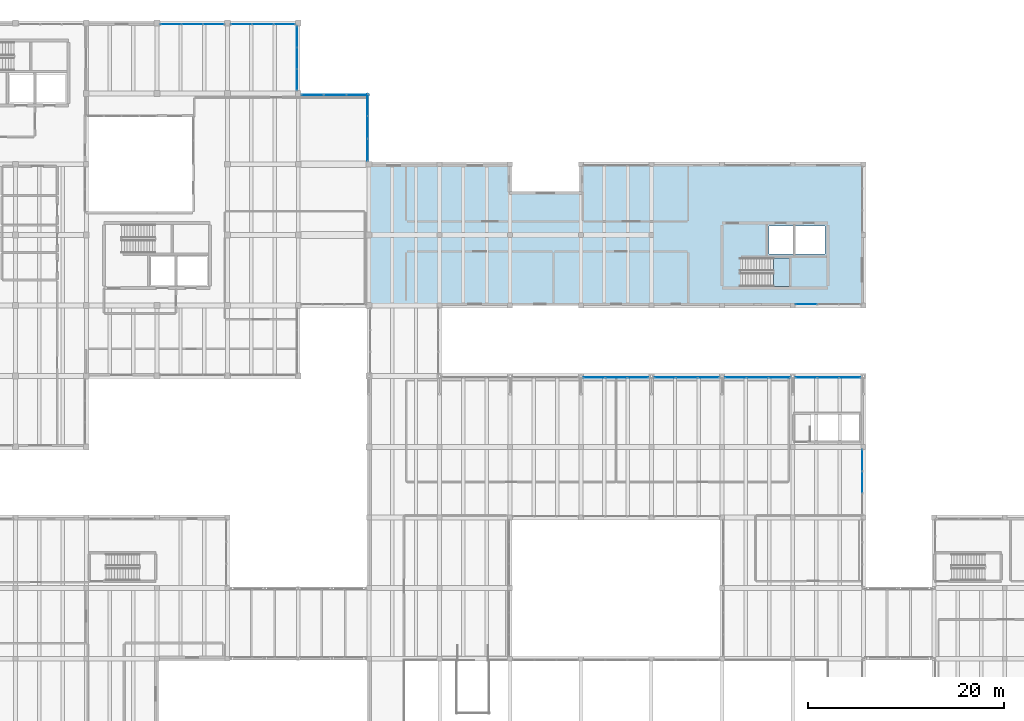
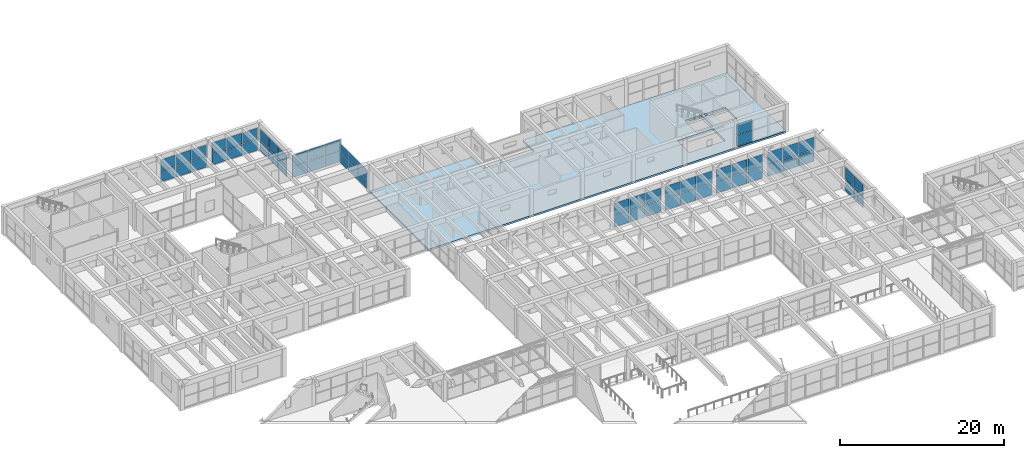
# One storey, part 123 of 153: 60 plates, 2 slabs, 12 elements without a shape of their own.
"""IFC4 building model written with IfcOpenShell, lengths in metres."""

from ifc_helpers import new_model, si_unit, direction, frame, origin, origin_2d, place, context, subcontext, project, spatial, polyline, rectangle, outline, extrude, material, layer, layer_set, type_object, element, aggregate, save


model = new_model("IFC4")

# Units and contexts
model_context = context("Model", 3, precision=1e-05, world=origin(), true_north=direction((0.0, 1.0)))
body_context = subcontext(model_context, "Body", "Model", "MODEL_VIEW")
ifc_project = project(units=[si_unit("LENGTHUNIT", "METRE"), si_unit("AREAUNIT", "SQUARE_METRE"), si_unit("VOLUMEUNIT", "CUBIC_METRE"), si_unit("PLANEANGLEUNIT", "RADIAN"), si_unit("MASSUNIT", "GRAM", prefix="KILO")], contexts=[model_context])

# Site, building, storey
site_placement = place(None, origin())
site = spatial("IfcSite", under=ifc_project, at=site_placement, CompositionType="ELEMENT")
building_placement = place(site_placement, origin())
building = spatial("IfcBuilding", under=site, at=building_placement, Name="Bramvelor Terrace Health Centre", CompositionType="ELEMENT")
storey_placement = place(building_placement, frame((0.0, 0.0, 4.800048828125)))
storey = spatial("IfcBuildingStorey", under=building, at=storey_placement, Name="L02", CompositionType="ELEMENT", Elevation=4.800048828125)

# Curtain wall, plates
ifc_material_1 = material(Name="Anodized aluminium and double low-E glass", Category="aluminium")
curtain_wall_type_1 = type_object("IfcCurtainWallType", Name="CW-SYS-13", PredefinedType="NOTDEFINED", material=ifc_material_1)
curtain_wall_1_placement = place(storey_placement, origin())
curtain_wall_1 = element("IfcCurtainWall", 1, at=curtain_wall_1_placement, inside=storey, type_object=curtain_wall_type_1, Name="L02 Unitized Curtain Wall 81", PredefinedType="NOTDEFINED")
ifc_material_2 = material(Name="Double low-E laminated glass", Category="glass")
ifc_layer_1 = layer(ifc_material_2, 0.028076171875)
ifc_layer_set_1 = layer_set([ifc_layer_1], Name="Double low-E laminated glass")
plate_type = type_object("IfcPlateType", Name="CW-PNL-GLZ28", PredefinedType="CURTAIN_PANEL", material=ifc_layer_set_1)
plate_1_placement = place(storey_placement, frame((23.015380859375, 115.070068359375, 0.06494140625), z_axis=(0.0, 0.0, 1.0), x_axis=(1.0, 0.0, 0.0)))
plate_1 = element("IfcPlate", 2, at=plate_1_placement, type_object=plate_type, Name="CW-13 panel 1.1", PredefinedType="CURTAIN_PANEL", context=body_context, shape_type="SweptSolid", body=[
    extrude(rectangle(XDim=2.0908203125, YDim=0.028076171875, at=origin_2d()), origin(), (0.0, 0.0, 1.0), 1.632568359375),
])
plate_2_placement = place(storey_placement, frame((23.015380859375, 115.070068359375, 1.76220703125), z_axis=(0.0, 0.0, 1.0), x_axis=(1.0, 0.0, 0.0)))
plate_2 = element("IfcPlate", 3, at=plate_2_placement, type_object=plate_type, Name="CW-13 panel 1.2", PredefinedType="CURTAIN_PANEL", context=body_context, shape_type="SweptSolid", body=[
    extrude(rectangle(XDim=2.0908203125, YDim=0.028076171875, at=origin_2d()), origin(), (0.0, 0.0, 1.0), 1.632568359375),
])
plate_3_placement = place(storey_placement, frame((25.199951171875, 115.070068359375, 0.06494140625), z_axis=(0.0, 0.0, 1.0), x_axis=(1.0, 0.0, 0.0)))
plate_3 = element("IfcPlate", 4, at=plate_3_placement, type_object=plate_type, Name="CW-13 panel 2.1", PredefinedType="CURTAIN_PANEL", context=body_context, shape_type="SweptSolid", body=[
    extrude(rectangle(XDim=2.12841796875, YDim=0.028076171875, at=origin_2d()), origin(), (0.0, 0.0, 1.0), 1.632568359375),
])
plate_4_placement = place(storey_placement, frame((25.199951171875, 115.070068359375, 1.76220703125), z_axis=(0.0, 0.0, 1.0), x_axis=(1.0, 0.0, 0.0)))
plate_4 = element("IfcPlate", 5, at=plate_4_placement, type_object=plate_type, Name="CW-13 panel 2.2", PredefinedType="CURTAIN_PANEL", context=body_context, shape_type="SweptSolid", body=[
    extrude(rectangle(XDim=2.12841796875, YDim=0.028076171875, at=origin_2d()), origin(), (0.0, 0.0, 1.0), 1.632568359375),
])
plate_5_placement = place(storey_placement, frame((27.384521484375, 115.070068359375, 0.06494140625), z_axis=(0.0, 0.0, 1.0), x_axis=(1.0, 0.0, 0.0)))
plate_5 = element("IfcPlate", 6, at=plate_5_placement, type_object=plate_type, Name="CW-13 panel 3.1", PredefinedType="CURTAIN_PANEL", context=body_context, shape_type="SweptSolid", body=[
    extrude(rectangle(XDim=2.0908203125, YDim=0.028076171875, at=origin_2d()), origin(), (0.0, 0.0, 1.0), 1.632568359375),
])
plate_6_placement = place(storey_placement, frame((27.384521484375, 115.070068359375, 1.76220703125), z_axis=(0.0, 0.0, 1.0), x_axis=(1.0, 0.0, 0.0)))
plate_6 = element("IfcPlate", 7, at=plate_6_placement, type_object=plate_type, Name="CW-13 panel 3.2", PredefinedType="CURTAIN_PANEL", context=body_context, shape_type="SweptSolid", body=[
    extrude(rectangle(XDim=2.0908203125, YDim=0.028076171875, at=origin_2d()), origin(), (0.0, 0.0, 1.0), 1.632568359375),
])
aggregate(curtain_wall_1, [plate_1, plate_2, plate_3, plate_4, plate_5, plate_6])

curtain_wall_2_placement = place(storey_placement, origin())
curtain_wall_2 = element("IfcCurtainWall", 8, at=curtain_wall_2_placement, inside=storey, type_object=curtain_wall_type_1, Name="L02 Unitized Curtain Wall 82", PredefinedType="NOTDEFINED")
plate_7_placement = place(storey_placement, frame((30.21533203125, 115.070068359375, 0.06494140625), z_axis=(0.0, 0.0, 1.0), x_axis=(1.0, 0.0, 0.0)))
plate_7 = element("IfcPlate", 9, at=plate_7_placement, type_object=plate_type, Name="CW-13 panel 1.1", PredefinedType="CURTAIN_PANEL", context=body_context, shape_type="SweptSolid", body=[
    extrude(rectangle(XDim=2.0908203125, YDim=0.028076171875, at=origin_2d()), origin(), (0.0, 0.0, 1.0), 1.632568359375),
])
plate_8_placement = place(storey_placement, frame((30.21533203125, 115.070068359375, 1.76220703125), z_axis=(0.0, 0.0, 1.0), x_axis=(1.0, 0.0, 0.0)))
plate_8 = element("IfcPlate", 10, at=plate_8_placement, type_object=plate_type, Name="CW-13 panel 1.2", PredefinedType="CURTAIN_PANEL", context=body_context, shape_type="SweptSolid", body=[
    extrude(rectangle(XDim=2.0908203125, YDim=0.028076171875, at=origin_2d()), origin(), (0.0, 0.0, 1.0), 1.632568359375),
])
plate_9_placement = place(storey_placement, frame((32.39990234375, 115.070068359375, 0.06494140625), z_axis=(0.0, 0.0, 1.0), x_axis=(1.0, 0.0, 0.0)))
plate_9 = element("IfcPlate", 11, at=plate_9_placement, type_object=plate_type, Name="CW-13 panel 2.1", PredefinedType="CURTAIN_PANEL", context=body_context, shape_type="SweptSolid", body=[
    extrude(rectangle(XDim=2.12841796875, YDim=0.028076171875, at=origin_2d()), origin(), (0.0, 0.0, 1.0), 1.632568359375),
])
plate_10_placement = place(storey_placement, frame((32.39990234375, 115.070068359375, 1.76220703125), z_axis=(0.0, 0.0, 1.0), x_axis=(1.0, 0.0, 0.0)))
plate_10 = element("IfcPlate", 12, at=plate_10_placement, type_object=plate_type, Name="CW-13 panel 2.2", PredefinedType="CURTAIN_PANEL", context=body_context, shape_type="SweptSolid", body=[
    extrude(rectangle(XDim=2.12841796875, YDim=0.028076171875, at=origin_2d()), origin(), (0.0, 0.0, 1.0), 1.632568359375),
])
plate_11_placement = place(storey_placement, frame((34.58447265625, 115.070068359375, 0.06494140625), z_axis=(0.0, 0.0, 1.0), x_axis=(1.0, 0.0, 0.0)))
plate_11 = element("IfcPlate", 13, at=plate_11_placement, type_object=plate_type, Name="CW-13 panel 3.1", PredefinedType="CURTAIN_PANEL", context=body_context, shape_type="SweptSolid", body=[
    extrude(rectangle(XDim=2.0908203125, YDim=0.028076171875, at=origin_2d()), origin(), (0.0, 0.0, 1.0), 1.632568359375),
])
plate_12_placement = place(storey_placement, frame((34.58447265625, 115.070068359375, 1.76220703125), z_axis=(0.0, 0.0, 1.0), x_axis=(1.0, 0.0, 0.0)))
plate_12 = element("IfcPlate", 14, at=plate_12_placement, type_object=plate_type, Name="CW-13 panel 3.2", PredefinedType="CURTAIN_PANEL", context=body_context, shape_type="SweptSolid", body=[
    extrude(rectangle(XDim=2.0908203125, YDim=0.028076171875, at=origin_2d()), origin(), (0.0, 0.0, 1.0), 1.632568359375),
])
aggregate(curtain_wall_2, [plate_7, plate_8, plate_9, plate_10, plate_11, plate_12])

ifc_material_3 = material(Name="Anodized aluminium and double low-E glass", Category="aluminium")
curtain_wall_type_2 = type_object("IfcCurtainWallType", Name="CW-SYS-12", PredefinedType="NOTDEFINED", material=ifc_material_3)
curtain_wall_3_placement = place(storey_placement, origin())
curtain_wall_3 = element("IfcCurtainWall", 15, at=curtain_wall_3_placement, inside=storey, type_object=curtain_wall_type_2, Name="L02 Unitized Curtain Wall 83", PredefinedType="NOTDEFINED")
plate_13_placement = place(storey_placement, frame((35.8701171875, 113.78466796875, 0.06494140625), z_axis=(0.0, 0.0, 1.0), x_axis=(0.0, -1.0, 0.0)))
plate_13 = element("IfcPlate", 16, at=plate_13_placement, type_object=plate_type, Name="CW-12 panel 1.1", PredefinedType="CURTAIN_PANEL", context=body_context, shape_type="SweptSolid", body=[
    extrude(rectangle(XDim=2.0908203125, YDim=0.028076171875, at=origin_2d()), origin(), (0.0, 0.0, 1.0), 1.58251953125),
])
plate_14_placement = place(storey_placement, frame((35.8701171875, 113.78466796875, 1.71240234375), z_axis=(0.0, 0.0, 1.0), x_axis=(0.0, -1.0, 0.0)))
plate_14 = element("IfcPlate", 17, at=plate_14_placement, type_object=plate_type, Name="CW-12 panel 1.2", PredefinedType="CURTAIN_PANEL", context=body_context, shape_type="SweptSolid", body=[
    extrude(rectangle(XDim=2.0908203125, YDim=0.028076171875, at=origin_2d()), origin(), (0.0, 0.0, 1.0), 1.58251953125),
])
plate_15_placement = place(storey_placement, frame((35.8701171875, 111.60009765625, 0.06494140625), z_axis=(0.0, 0.0, 1.0), x_axis=(0.0, -1.0, 0.0)))
plate_15 = element("IfcPlate", 18, at=plate_15_placement, type_object=plate_type, Name="CW-12 panel 2.1", PredefinedType="CURTAIN_PANEL", context=body_context, shape_type="SweptSolid", body=[
    extrude(rectangle(XDim=2.12841796875, YDim=0.028076171875, at=origin_2d()), origin(), (0.0, 0.0, 1.0), 1.58251953125),
])
plate_16_placement = place(storey_placement, frame((35.8701171875, 111.60009765625, 1.71240234375), z_axis=(0.0, 0.0, 1.0), x_axis=(0.0, -1.0, 0.0)))
plate_16 = element("IfcPlate", 19, at=plate_16_placement, type_object=plate_type, Name="CW-12 panel 2.2", PredefinedType="CURTAIN_PANEL", context=body_context, shape_type="SweptSolid", body=[
    extrude(rectangle(XDim=2.12841796875, YDim=0.028076171875, at=origin_2d()), origin(), (0.0, 0.0, 1.0), 1.58251953125),
])
plate_17_placement = place(storey_placement, frame((35.8701171875, 109.41552734375, 0.06494140625), z_axis=(0.0, 0.0, 1.0), x_axis=(0.0, -1.0, 0.0)))
plate_17 = element("IfcPlate", 20, at=plate_17_placement, type_object=plate_type, Name="CW-12 panel 3.1", PredefinedType="CURTAIN_PANEL", context=body_context, shape_type="SweptSolid", body=[
    extrude(rectangle(XDim=2.0908203125, YDim=0.028076171875, at=origin_2d()), origin(), (0.0, 0.0, 1.0), 1.58251953125),
])
plate_18_placement = place(storey_placement, frame((35.8701171875, 109.41552734375, 1.71240234375), z_axis=(0.0, 0.0, 1.0), x_axis=(0.0, -1.0, 0.0)))
plate_18 = element("IfcPlate", 21, at=plate_18_placement, type_object=plate_type, Name="CW-12 panel 3.2", PredefinedType="CURTAIN_PANEL", context=body_context, shape_type="SweptSolid", body=[
    extrude(rectangle(XDim=2.0908203125, YDim=0.028076171875, at=origin_2d()), origin(), (0.0, 0.0, 1.0), 1.58251953125),
])
aggregate(curtain_wall_3, [plate_13, plate_14, plate_15, plate_16, plate_17, plate_18])

ifc_material_4 = material(Name="Anodized aluminium and double low-E glass", Category="aluminium")
curtain_wall_type_3 = type_object("IfcCurtainWallType", Name="CW-SYS-14", PredefinedType="NOTDEFINED", material=ifc_material_4)
curtain_wall_4_placement = place(storey_placement, origin())
curtain_wall_4 = element("IfcCurtainWall", 22, at=curtain_wall_4_placement, inside=storey, type_object=curtain_wall_type_3, Name="L02 Unitized Curtain Wall 84", PredefinedType="NOTDEFINED")
plate_19_placement = place(storey_placement, frame((37.47119140625, 107.8701171875, 0.06494140625), z_axis=(0.0, 0.0, 1.0), x_axis=(1.0, 0.0, 0.0)))
plate_19 = element("IfcPlate", 23, at=plate_19_placement, type_object=plate_type, Name="CW-14 panel 1.1", PredefinedType="CURTAIN_PANEL", context=body_context, shape_type="SweptSolid", body=[
    extrude(rectangle(XDim=2.202392578125, YDim=0.028076171875, at=origin_2d()), origin(), (0.0, 0.0, 1.0), 1.632568359375),
])
plate_20_placement = place(storey_placement, frame((37.47119140625, 107.8701171875, 1.76220703125), z_axis=(0.0, 0.0, 1.0), x_axis=(1.0, 0.0, 0.0)))
plate_20 = element("IfcPlate", 24, at=plate_20_placement, type_object=plate_type, Name="CW-14 panel 1.2", PredefinedType="CURTAIN_PANEL", context=body_context, shape_type="SweptSolid", body=[
    extrude(rectangle(XDim=2.202392578125, YDim=0.028076171875, at=origin_2d()), origin(), (0.0, 0.0, 1.0), 1.632568359375),
])
plate_21_placement = place(storey_placement, frame((39.767578125, 107.8701171875, 0.06494140625), z_axis=(0.0, 0.0, 1.0), x_axis=(1.0, 0.0, 0.0)))
plate_21 = element("IfcPlate", 25, at=plate_21_placement, type_object=plate_type, Name="CW-14 panel 2.1", PredefinedType="CURTAIN_PANEL", context=body_context, shape_type="SweptSolid", body=[
    extrude(rectangle(XDim=2.239990234375, YDim=0.028076171875, at=origin_2d()), origin(), (0.0, 0.0, 1.0), 1.632568359375),
])
plate_22_placement = place(storey_placement, frame((39.767578125, 107.8701171875, 1.76220703125), z_axis=(0.0, 0.0, 1.0), x_axis=(1.0, 0.0, 0.0)))
plate_22 = element("IfcPlate", 26, at=plate_22_placement, type_object=plate_type, Name="CW-14 panel 2.2", PredefinedType="CURTAIN_PANEL", context=body_context, shape_type="SweptSolid", body=[
    extrude(rectangle(XDim=2.239990234375, YDim=0.028076171875, at=origin_2d()), origin(), (0.0, 0.0, 1.0), 1.632568359375),
])
plate_23_placement = place(storey_placement, frame((42.063720703125, 107.8701171875, 0.06494140625), z_axis=(0.0, 0.0, 1.0), x_axis=(1.0, 0.0, 0.0)))
plate_23 = element("IfcPlate", 27, at=plate_23_placement, type_object=plate_type, Name="CW-14 panel 3.1", PredefinedType="CURTAIN_PANEL", context=body_context, shape_type="SweptSolid", body=[
    extrude(rectangle(XDim=2.202392578125, YDim=0.028076171875, at=origin_2d()), origin(), (0.0, 0.0, 1.0), 1.632568359375),
])
plate_24_placement = place(storey_placement, frame((42.063720703125, 107.8701171875, 1.76220703125), z_axis=(0.0, 0.0, 1.0), x_axis=(1.0, 0.0, 0.0)))
plate_24 = element("IfcPlate", 28, at=plate_24_placement, type_object=plate_type, Name="CW-14 panel 3.2", PredefinedType="CURTAIN_PANEL", context=body_context, shape_type="SweptSolid", body=[
    extrude(rectangle(XDim=2.202392578125, YDim=0.028076171875, at=origin_2d()), origin(), (0.0, 0.0, 1.0), 1.632568359375),
])
aggregate(curtain_wall_4, [plate_19, plate_20, plate_21, plate_22, plate_23, plate_24])

ifc_material_5 = material(Name="Anodized aluminium and double low-E glass", Category="aluminium")
curtain_wall_type_4 = type_object("IfcCurtainWallType", Name="CW-SYS-15", PredefinedType="NOTDEFINED", material=ifc_material_5)
curtain_wall_5_placement = place(storey_placement, origin())
curtain_wall_5 = element("IfcCurtainWall", 29, at=curtain_wall_5_placement, inside=storey, type_object=curtain_wall_type_4, Name="L02 Unitized Curtain Wall 85", PredefinedType="NOTDEFINED")
plate_25_placement = place(storey_placement, frame((43.070068359375, 106.84716796875, 0.06494140625), z_axis=(0.0, 0.0, 1.0), x_axis=(0.0, -1.0, 0.0)))
plate_25 = element("IfcPlate", 30, at=plate_25_placement, type_object=plate_type, Name="CW-15 panel 1.1", PredefinedType="CURTAIN_PANEL", context=body_context, shape_type="SweptSolid", body=[
    extrude(rectangle(XDim=2.19580078125, YDim=0.028076171875, at=origin_2d()), origin(), (0.0, 0.0, 1.0), 1.382568359375),
])
plate_26_placement = place(storey_placement, frame((43.070068359375, 106.84716796875, 1.51220703125), z_axis=(0.0, 0.0, 1.0), x_axis=(0.0, -1.0, 0.0)))
plate_26 = element("IfcPlate", 31, at=plate_26_placement, type_object=plate_type, Name="CW-15 panel 1.2", PredefinedType="CURTAIN_PANEL", context=body_context, shape_type="SweptSolid", body=[
    extrude(rectangle(XDim=2.19580078125, YDim=0.028076171875, at=origin_2d()), origin(), (0.0, 0.0, 1.0), 1.382568359375),
])
plate_27_placement = place(storey_placement, frame((43.070068359375, 104.5576171875, 0.06494140625), z_axis=(0.0, 0.0, 1.0), x_axis=(0.0, -1.0, 0.0)))
plate_27 = element("IfcPlate", 32, at=plate_27_placement, type_object=plate_type, Name="CW-15 panel 2.1", PredefinedType="CURTAIN_PANEL", context=body_context, shape_type="SweptSolid", body=[
    extrude(rectangle(XDim=2.2333984375, YDim=0.028076171875, at=origin_2d()), origin(), (0.0, 0.0, 1.0), 1.382568359375),
])
plate_28_placement = place(storey_placement, frame((43.070068359375, 104.5576171875, 1.51220703125), z_axis=(0.0, 0.0, 1.0), x_axis=(0.0, -1.0, 0.0)))
plate_28 = element("IfcPlate", 33, at=plate_28_placement, type_object=plate_type, Name="CW-15 panel 2.2", PredefinedType="CURTAIN_PANEL", context=body_context, shape_type="SweptSolid", body=[
    extrude(rectangle(XDim=2.2333984375, YDim=0.028076171875, at=origin_2d()), origin(), (0.0, 0.0, 1.0), 1.382568359375),
])
plate_29_placement = place(storey_placement, frame((43.070068359375, 102.267822265625, 0.06494140625), z_axis=(0.0, 0.0, 1.0), x_axis=(0.0, -1.0, 0.0)))
plate_29 = element("IfcPlate", 34, at=plate_29_placement, type_object=plate_type, Name="CW-15 panel 3.1", PredefinedType="CURTAIN_PANEL", context=body_context, shape_type="SweptSolid", body=[
    extrude(rectangle(XDim=2.19580078125, YDim=0.028076171875, at=origin_2d()), origin(), (0.0, 0.0, 1.0), 1.382568359375),
])
plate_30_placement = place(storey_placement, frame((43.070068359375, 102.267822265625, 1.51220703125), z_axis=(0.0, 0.0, 1.0), x_axis=(0.0, -1.0, 0.0)))
plate_30 = element("IfcPlate", 35, at=plate_30_placement, type_object=plate_type, Name="CW-15 panel 3.2", PredefinedType="CURTAIN_PANEL", context=body_context, shape_type="SweptSolid", body=[
    extrude(rectangle(XDim=2.19580078125, YDim=0.028076171875, at=origin_2d()), origin(), (0.0, 0.0, 1.0), 1.382568359375),
])
aggregate(curtain_wall_5, [plate_25, plate_26, plate_27, plate_28, plate_29, plate_30])

ifc_material_6 = material(Name="Anodized aluminium and double low-E glass", Category="aluminium")
curtain_wall_type_5 = type_object("IfcCurtainWallType", Name="CW-SYS-16", PredefinedType="NOTDEFINED", material=ifc_material_6)
curtain_wall_6_placement = place(storey_placement, origin())
curtain_wall_6 = element("IfcCurtainWall", 36, at=curtain_wall_6_placement, inside=storey, type_object=curtain_wall_type_5, Name="L02 Unitized Curtain Wall 89", PredefinedType="NOTDEFINED")
plate_31_placement = place(storey_placement, frame((87.781982421875, 86.530029296875, 0.06494140625), z_axis=(0.0, 0.0, 1.0), x_axis=(-1.0, 0.0, 0.0)))
plate_31 = element("IfcPlate", 37, at=plate_31_placement, type_object=plate_type, Name="CW-16 panel 3.1", PredefinedType="CURTAIN_PANEL", context=body_context, shape_type="SweptSolid", body=[
    extrude(rectangle(XDim=2.124267578125, YDim=0.028076171875, at=origin_2d()), origin(), (0.0, 0.0, 1.0), 1.58251953125),
])
plate_32_placement = place(storey_placement, frame((87.781982421875, 86.530029296875, 1.71240234375), z_axis=(0.0, 0.0, 1.0), x_axis=(-1.0, 0.0, 0.0)))
plate_32 = element("IfcPlate", 38, at=plate_32_placement, type_object=plate_type, Name="CW-16 panel 3.2", PredefinedType="CURTAIN_PANEL", context=body_context, shape_type="SweptSolid", body=[
    extrude(rectangle(XDim=2.124267578125, YDim=0.028076171875, at=origin_2d()), origin(), (0.0, 0.0, 1.0), 1.58251953125),
])
aggregate(curtain_wall_6, [plate_31, plate_32])

ifc_material_7 = material(Name="Anodized aluminium and double low-E glass", Category="aluminium")
curtain_wall_type_6 = type_object("IfcCurtainWallType", Name="CW-SYS-17", PredefinedType="NOTDEFINED", material=ifc_material_7)
curtain_wall_7_placement = place(storey_placement, origin())
curtain_wall_7 = element("IfcCurtainWall", 39, at=curtain_wall_7_placement, inside=storey, type_object=curtain_wall_type_6, Name="L02 Unitized Curtain Wall 93", PredefinedType="NOTDEFINED")
plate_33_placement = place(storey_placement, frame((66.18212890625, 79.070068359375, 0.06494140625), z_axis=(0.0, 0.0, 1.0), x_axis=(1.0, 0.0, 0.0)))
plate_33 = element("IfcPlate", 40, at=plate_33_placement, type_object=plate_type, Name="CW-17 panel 1.1", PredefinedType="CURTAIN_PANEL", context=body_context, shape_type="SweptSolid", body=[
    extrude(rectangle(XDim=2.124267578125, YDim=0.028076171875, at=origin_2d()), origin(), (0.0, 0.0, 1.0), 1.757568359375),
])
plate_34_placement = place(storey_placement, frame((66.18212890625, 79.070068359375, 1.88720703125), z_axis=(0.0, 0.0, 1.0), x_axis=(1.0, 0.0, 0.0)))
plate_34 = element("IfcPlate", 41, at=plate_34_placement, type_object=plate_type, Name="CW-17 panel 1.2", PredefinedType="CURTAIN_PANEL", context=body_context, shape_type="SweptSolid", body=[
    extrude(rectangle(XDim=2.124267578125, YDim=0.028076171875, at=origin_2d()), origin(), (0.0, 0.0, 1.0), 1.757568359375),
])
plate_35_placement = place(storey_placement, frame((68.39990234375, 79.070068359375, 0.06494140625), z_axis=(0.0, 0.0, 1.0), x_axis=(1.0, 0.0, 0.0)))
plate_35 = element("IfcPlate", 42, at=plate_35_placement, type_object=plate_type, Name="CW-17 panel 2.1", PredefinedType="CURTAIN_PANEL", context=body_context, shape_type="SweptSolid", body=[
    extrude(rectangle(XDim=2.16162109375, YDim=0.028076171875, at=origin_2d()), origin(), (0.0, 0.0, 1.0), 1.757568359375),
])
plate_36_placement = place(storey_placement, frame((68.39990234375, 79.070068359375, 1.88720703125), z_axis=(0.0, 0.0, 1.0), x_axis=(1.0, 0.0, 0.0)))
plate_36 = element("IfcPlate", 43, at=plate_36_placement, type_object=plate_type, Name="CW-17 panel 2.2", PredefinedType="CURTAIN_PANEL", context=body_context, shape_type="SweptSolid", body=[
    extrude(rectangle(XDim=2.16162109375, YDim=0.028076171875, at=origin_2d()), origin(), (0.0, 0.0, 1.0), 1.757568359375),
])
plate_37_placement = place(storey_placement, frame((70.617919921875, 79.070068359375, 0.06494140625), z_axis=(0.0, 0.0, 1.0), x_axis=(1.0, 0.0, 0.0)))
plate_37 = element("IfcPlate", 44, at=plate_37_placement, type_object=plate_type, Name="CW-17 panel 3.1", PredefinedType="CURTAIN_PANEL", context=body_context, shape_type="SweptSolid", body=[
    extrude(rectangle(XDim=2.124267578125, YDim=0.028076171875, at=origin_2d()), origin(), (0.0, 0.0, 1.0), 1.757568359375),
])
plate_38_placement = place(storey_placement, frame((70.617919921875, 79.070068359375, 1.88720703125), z_axis=(0.0, 0.0, 1.0), x_axis=(1.0, 0.0, 0.0)))
plate_38 = element("IfcPlate", 45, at=plate_38_placement, type_object=plate_type, Name="CW-17 panel 3.2", PredefinedType="CURTAIN_PANEL", context=body_context, shape_type="SweptSolid", body=[
    extrude(rectangle(XDim=2.124267578125, YDim=0.028076171875, at=origin_2d()), origin(), (0.0, 0.0, 1.0), 1.757568359375),
])
aggregate(curtain_wall_7, [plate_33, plate_34, plate_35, plate_36, plate_37, plate_38])

curtain_wall_8_placement = place(storey_placement, origin())
curtain_wall_8 = element("IfcCurtainWall", 46, at=curtain_wall_8_placement, inside=storey, type_object=curtain_wall_type_6, Name="L02 Unitized Curtain Wall 94", PredefinedType="NOTDEFINED")
plate_39_placement = place(storey_placement, frame((73.382080078125, 79.070068359375, 0.06494140625), z_axis=(0.0, 0.0, 1.0), x_axis=(1.0, 0.0, 0.0)))
plate_39 = element("IfcPlate", 47, at=plate_39_placement, type_object=plate_type, Name="CW-17 panel 1.1", PredefinedType="CURTAIN_PANEL", context=body_context, shape_type="SweptSolid", body=[
    extrude(rectangle(XDim=2.124267578125, YDim=0.028076171875, at=origin_2d()), origin(), (0.0, 0.0, 1.0), 1.757568359375),
])
plate_40_placement = place(storey_placement, frame((73.382080078125, 79.070068359375, 1.88720703125), z_axis=(0.0, 0.0, 1.0), x_axis=(1.0, 0.0, 0.0)))
plate_40 = element("IfcPlate", 48, at=plate_40_placement, type_object=plate_type, Name="CW-17 panel 1.2", PredefinedType="CURTAIN_PANEL", context=body_context, shape_type="SweptSolid", body=[
    extrude(rectangle(XDim=2.124267578125, YDim=0.028076171875, at=origin_2d()), origin(), (0.0, 0.0, 1.0), 1.757568359375),
])
plate_41_placement = place(storey_placement, frame((75.60009765625, 79.070068359375, 0.06494140625), z_axis=(0.0, 0.0, 1.0), x_axis=(1.0, 0.0, 0.0)))
plate_41 = element("IfcPlate", 49, at=plate_41_placement, type_object=plate_type, Name="CW-17 panel 2.1", PredefinedType="CURTAIN_PANEL", context=body_context, shape_type="SweptSolid", body=[
    extrude(rectangle(XDim=2.16162109375, YDim=0.028076171875, at=origin_2d()), origin(), (0.0, 0.0, 1.0), 1.757568359375),
])
plate_42_placement = place(storey_placement, frame((75.60009765625, 79.070068359375, 1.88720703125), z_axis=(0.0, 0.0, 1.0), x_axis=(1.0, 0.0, 0.0)))
plate_42 = element("IfcPlate", 50, at=plate_42_placement, type_object=plate_type, Name="CW-17 panel 2.2", PredefinedType="CURTAIN_PANEL", context=body_context, shape_type="SweptSolid", body=[
    extrude(rectangle(XDim=2.16162109375, YDim=0.028076171875, at=origin_2d()), origin(), (0.0, 0.0, 1.0), 1.757568359375),
])
plate_43_placement = place(storey_placement, frame((77.81787109375, 79.070068359375, 0.06494140625), z_axis=(0.0, 0.0, 1.0), x_axis=(1.0, 0.0, 0.0)))
plate_43 = element("IfcPlate", 51, at=plate_43_placement, type_object=plate_type, Name="CW-17 panel 3.1", PredefinedType="CURTAIN_PANEL", context=body_context, shape_type="SweptSolid", body=[
    extrude(rectangle(XDim=2.124267578125, YDim=0.028076171875, at=origin_2d()), origin(), (0.0, 0.0, 1.0), 1.757568359375),
])
plate_44_placement = place(storey_placement, frame((77.81787109375, 79.070068359375, 1.88720703125), z_axis=(0.0, 0.0, 1.0), x_axis=(1.0, 0.0, 0.0)))
plate_44 = element("IfcPlate", 52, at=plate_44_placement, type_object=plate_type, Name="CW-17 panel 3.2", PredefinedType="CURTAIN_PANEL", context=body_context, shape_type="SweptSolid", body=[
    extrude(rectangle(XDim=2.124267578125, YDim=0.028076171875, at=origin_2d()), origin(), (0.0, 0.0, 1.0), 1.757568359375),
])
aggregate(curtain_wall_8, [plate_39, plate_40, plate_41, plate_42, plate_43, plate_44])

curtain_wall_9_placement = place(storey_placement, origin())
curtain_wall_9 = element("IfcCurtainWall", 53, at=curtain_wall_9_placement, inside=storey, type_object=curtain_wall_type_6, Name="L02 Unitized Curtain Wall 95", PredefinedType="NOTDEFINED")
plate_45_placement = place(storey_placement, frame((80.58203125, 79.070068359375, 0.06494140625), z_axis=(0.0, 0.0, 1.0), x_axis=(1.0, 0.0, 0.0)))
plate_45 = element("IfcPlate", 54, at=plate_45_placement, type_object=plate_type, Name="CW-17 panel 1.1", PredefinedType="CURTAIN_PANEL", context=body_context, shape_type="SweptSolid", body=[
    extrude(rectangle(XDim=2.124267578125, YDim=0.028076171875, at=origin_2d()), origin(), (0.0, 0.0, 1.0), 1.757568359375),
])
plate_46_placement = place(storey_placement, frame((80.58203125, 79.070068359375, 1.88720703125), z_axis=(0.0, 0.0, 1.0), x_axis=(1.0, 0.0, 0.0)))
plate_46 = element("IfcPlate", 55, at=plate_46_placement, type_object=plate_type, Name="CW-17 panel 1.2", PredefinedType="CURTAIN_PANEL", context=body_context, shape_type="SweptSolid", body=[
    extrude(rectangle(XDim=2.124267578125, YDim=0.028076171875, at=origin_2d()), origin(), (0.0, 0.0, 1.0), 1.757568359375),
])
plate_47_placement = place(storey_placement, frame((82.800048828125, 79.070068359375, 0.06494140625), z_axis=(0.0, 0.0, 1.0), x_axis=(1.0, 0.0, 0.0)))
plate_47 = element("IfcPlate", 56, at=plate_47_placement, type_object=plate_type, Name="CW-17 panel 2.1", PredefinedType="CURTAIN_PANEL", context=body_context, shape_type="SweptSolid", body=[
    extrude(rectangle(XDim=2.16162109375, YDim=0.028076171875, at=origin_2d()), origin(), (0.0, 0.0, 1.0), 1.757568359375),
])
plate_48_placement = place(storey_placement, frame((82.800048828125, 79.070068359375, 1.88720703125), z_axis=(0.0, 0.0, 1.0), x_axis=(1.0, 0.0, 0.0)))
plate_48 = element("IfcPlate", 57, at=plate_48_placement, type_object=plate_type, Name="CW-17 panel 2.2", PredefinedType="CURTAIN_PANEL", context=body_context, shape_type="SweptSolid", body=[
    extrude(rectangle(XDim=2.16162109375, YDim=0.028076171875, at=origin_2d()), origin(), (0.0, 0.0, 1.0), 1.757568359375),
])
plate_49_placement = place(storey_placement, frame((85.017822265625, 79.070068359375, 0.06494140625), z_axis=(0.0, 0.0, 1.0), x_axis=(1.0, 0.0, 0.0)))
plate_49 = element("IfcPlate", 58, at=plate_49_placement, type_object=plate_type, Name="CW-17 panel 3.1", PredefinedType="CURTAIN_PANEL", context=body_context, shape_type="SweptSolid", body=[
    extrude(rectangle(XDim=2.124267578125, YDim=0.028076171875, at=origin_2d()), origin(), (0.0, 0.0, 1.0), 1.757568359375),
])
plate_50_placement = place(storey_placement, frame((85.017822265625, 79.070068359375, 1.88720703125), z_axis=(0.0, 0.0, 1.0), x_axis=(1.0, 0.0, 0.0)))
plate_50 = element("IfcPlate", 59, at=plate_50_placement, type_object=plate_type, Name="CW-17 panel 3.2", PredefinedType="CURTAIN_PANEL", context=body_context, shape_type="SweptSolid", body=[
    extrude(rectangle(XDim=2.124267578125, YDim=0.028076171875, at=origin_2d()), origin(), (0.0, 0.0, 1.0), 1.757568359375),
])
aggregate(curtain_wall_9, [plate_45, plate_46, plate_47, plate_48, plate_49, plate_50])

curtain_wall_10_placement = place(storey_placement, origin())
curtain_wall_10 = element("IfcCurtainWall", 60, at=curtain_wall_10_placement, inside=storey, type_object=curtain_wall_type_6, Name="L02 Unitized Curtain Wall 96", PredefinedType="NOTDEFINED")
plate_51_placement = place(storey_placement, frame((87.781982421875, 79.070068359375, 0.06494140625), z_axis=(0.0, 0.0, 1.0), x_axis=(1.0, 0.0, 0.0)))
plate_51 = element("IfcPlate", 61, at=plate_51_placement, type_object=plate_type, Name="CW-17 panel 1.1", PredefinedType="CURTAIN_PANEL", context=body_context, shape_type="SweptSolid", body=[
    extrude(rectangle(XDim=2.124267578125, YDim=0.028076171875, at=origin_2d()), origin(), (0.0, 0.0, 1.0), 1.757568359375),
])
plate_52_placement = place(storey_placement, frame((87.781982421875, 79.070068359375, 1.88720703125), z_axis=(0.0, 0.0, 1.0), x_axis=(1.0, 0.0, 0.0)))
plate_52 = element("IfcPlate", 62, at=plate_52_placement, type_object=plate_type, Name="CW-17 panel 1.2", PredefinedType="CURTAIN_PANEL", context=body_context, shape_type="SweptSolid", body=[
    extrude(rectangle(XDim=2.124267578125, YDim=0.028076171875, at=origin_2d()), origin(), (0.0, 0.0, 1.0), 1.757568359375),
])
plate_53_placement = place(storey_placement, frame((90.0, 79.070068359375, 0.06494140625), z_axis=(0.0, 0.0, 1.0), x_axis=(1.0, 0.0, 0.0)))
plate_53 = element("IfcPlate", 63, at=plate_53_placement, type_object=plate_type, Name="CW-17 panel 2.1", PredefinedType="CURTAIN_PANEL", context=body_context, shape_type="SweptSolid", body=[
    extrude(rectangle(XDim=2.16162109375, YDim=0.028076171875, at=origin_2d()), origin(), (0.0, 0.0, 1.0), 1.757568359375),
])
plate_54_placement = place(storey_placement, frame((90.0, 79.070068359375, 1.88720703125), z_axis=(0.0, 0.0, 1.0), x_axis=(1.0, 0.0, 0.0)))
plate_54 = element("IfcPlate", 64, at=plate_54_placement, type_object=plate_type, Name="CW-17 panel 2.2", PredefinedType="CURTAIN_PANEL", context=body_context, shape_type="SweptSolid", body=[
    extrude(rectangle(XDim=2.16162109375, YDim=0.028076171875, at=origin_2d()), origin(), (0.0, 0.0, 1.0), 1.757568359375),
])
plate_55_placement = place(storey_placement, frame((92.218017578125, 79.070068359375, 0.06494140625), z_axis=(0.0, 0.0, 1.0), x_axis=(1.0, 0.0, 0.0)))
plate_55 = element("IfcPlate", 65, at=plate_55_placement, type_object=plate_type, Name="CW-17 panel 3.1", PredefinedType="CURTAIN_PANEL", context=body_context, shape_type="SweptSolid", body=[
    extrude(rectangle(XDim=2.124267578125, YDim=0.028076171875, at=origin_2d()), origin(), (0.0, 0.0, 1.0), 1.757568359375),
])
plate_56_placement = place(storey_placement, frame((92.218017578125, 79.070068359375, 1.88720703125), z_axis=(0.0, 0.0, 1.0), x_axis=(1.0, 0.0, 0.0)))
plate_56 = element("IfcPlate", 66, at=plate_56_placement, type_object=plate_type, Name="CW-17 panel 3.2", PredefinedType="CURTAIN_PANEL", context=body_context, shape_type="SweptSolid", body=[
    extrude(rectangle(XDim=2.124267578125, YDim=0.028076171875, at=origin_2d()), origin(), (0.0, 0.0, 1.0), 1.757568359375),
])
aggregate(curtain_wall_10, [plate_51, plate_52, plate_53, plate_54, plate_55, plate_56])

curtain_wall_11_placement = place(storey_placement, origin())
curtain_wall_11 = element("IfcCurtainWall", 67, at=curtain_wall_11_placement, inside=storey, type_object=curtain_wall_type_6, Name="L02 Unitized Curtain Wall 97", PredefinedType="NOTDEFINED")
plate_57_placement = place(storey_placement, frame((93.469970703125, 70.617919921875, 0.06494140625), z_axis=(0.0, 0.0, 1.0), x_axis=(0.0, -1.0, 0.0)))
plate_57 = element("IfcPlate", 68, at=plate_57_placement, type_object=plate_type, Name="CW-17 panel 1.1", PredefinedType="CURTAIN_PANEL", context=body_context, shape_type="SweptSolid", body=[
    extrude(rectangle(XDim=2.124267578125, YDim=0.028076171875, at=origin_2d()), origin(), (0.0, 0.0, 1.0), 1.757568359375),
])
plate_58_placement = place(storey_placement, frame((93.469970703125, 70.617919921875, 1.88720703125), z_axis=(0.0, 0.0, 1.0), x_axis=(0.0, -1.0, 0.0)))
plate_58 = element("IfcPlate", 69, at=plate_58_placement, type_object=plate_type, Name="CW-17 panel 1.2", PredefinedType="CURTAIN_PANEL", context=body_context, shape_type="SweptSolid", body=[
    extrude(rectangle(XDim=2.124267578125, YDim=0.028076171875, at=origin_2d()), origin(), (0.0, 0.0, 1.0), 1.757568359375),
])
plate_59_placement = place(storey_placement, frame((93.469970703125, 68.39990234375, 0.06494140625), z_axis=(0.0, 0.0, 1.0), x_axis=(0.0, -1.0, 0.0)))
plate_59 = element("IfcPlate", 70, at=plate_59_placement, type_object=plate_type, Name="CW-17 panel 2.1", PredefinedType="CURTAIN_PANEL", context=body_context, shape_type="SweptSolid", body=[
    extrude(rectangle(XDim=2.16162109375, YDim=0.028076171875, at=origin_2d()), origin(), (0.0, 0.0, 1.0), 1.757568359375),
])
plate_60_placement = place(storey_placement, frame((93.469970703125, 68.39990234375, 1.88720703125), z_axis=(0.0, 0.0, 1.0), x_axis=(0.0, -1.0, 0.0)))
plate_60 = element("IfcPlate", 71, at=plate_60_placement, type_object=plate_type, Name="CW-17 panel 2.2", PredefinedType="CURTAIN_PANEL", context=body_context, shape_type="SweptSolid", body=[
    extrude(rectangle(XDim=2.16162109375, YDim=0.028076171875, at=origin_2d()), origin(), (0.0, 0.0, 1.0), 1.757568359375),
])
aggregate(curtain_wall_11, [plate_57, plate_58, plate_59, plate_60])

# Slab
ifc_material_8 = material(Name="Concrete C40/50", Category="concrete")
ifc_layer_2 = layer(ifc_material_8, 0.27001953125)
ifc_layer_set_2 = layer_set([ifc_layer_2], Name="Concrete C40/50")
slab_type_1 = type_object("IfcSlabType", Name="SLB-FLR-RC270", PredefinedType="FLOOR", material=ifc_layer_set_2)
slab_1_placement = place(storey_placement, frame((0.0, 0.0, -0.27001953125)))
element("IfcSlab", 72, at=slab_1_placement, inside=storey, type_object=slab_type_1, Name="L02 V5 Floor Slab", PredefinedType="FLOOR", context=body_context, shape_type="SweptSolid", body=[
    extrude(outline(polyline([(43.199951171875, 100.800048828125), (57.60009765625, 100.800048828125), (57.60009765625, 98.0), (64.800048828125, 98.0), (64.800048828125, 100.800048828125), (93.60009765625, 100.800048828125), (93.60009765625, 86.39990234375), (43.199951171875, 86.39990234375), (43.199951171875, 100.800048828125)]), holes=[polyline([(81.080078125, 88.35009765625), (86.14990234375, 88.35009765625), (86.14990234375, 91.25), (81.080078125, 91.25), (81.080078125, 88.35009765625)]), polyline([(84.0, 94.5), (84.0, 91.64990234375), (86.39990234375, 91.64990234375), (86.39990234375, 94.5), (84.0, 94.5)]), polyline([(89.699951171875, 94.5), (86.699951171875, 94.5), (86.699951171875, 91.64990234375), (89.699951171875, 91.64990234375), (89.699951171875, 94.5)])]), origin(), (0.0, 0.0, 1.0), 0.27001953125),
])

# Stair, slab
ifc_material_9 = material(Name="Concrete C40/50", Category="concrete")
stair_type = type_object("IfcStairType", Name="STR-CORE", PredefinedType="HALF_TURN_STAIR", material=ifc_material_9)
stair_placement = place(storey_placement, origin())
stair = element("IfcStair", 73, at=stair_placement, inside=storey, type_object=stair_type, Name="L02 C4 Primary Fire Stair", PredefinedType="HALF_TURN_STAIR")
ifc_material_10 = material(Name="Concrete C40/50", Category="concrete")
ifc_layer_3 = layer(ifc_material_10, 0.199951171875)
ifc_layer_set_3 = layer_set([ifc_layer_3], Name="Concrete C40/50")
slab_type_2 = type_object("IfcSlabType", Name="SLB-LND-200", PredefinedType="LANDING", material=ifc_layer_set_3)
slab_2_placement = place(storey_placement, frame((0.0, 0.0, 2.050048828125)))
slab_2 = element("IfcSlab", 74, at=slab_2_placement, type_object=slab_type_2, Name="ST-4 landing 1", PredefinedType="LANDING", context=body_context, shape_type="SweptSolid", body=[
    extrude(outline(polyline([(84.419921875, 88.35009765625), (86.054931640625, 88.35009765625), (86.054931640625, 91.25), (84.419921875, 91.25), (84.419921875, 88.35009765625)])), origin(), (0.0, 0.0, 1.0), 0.199951171875),
])
aggregate(stair, [slab_2])

save(model, "model.ifc")
